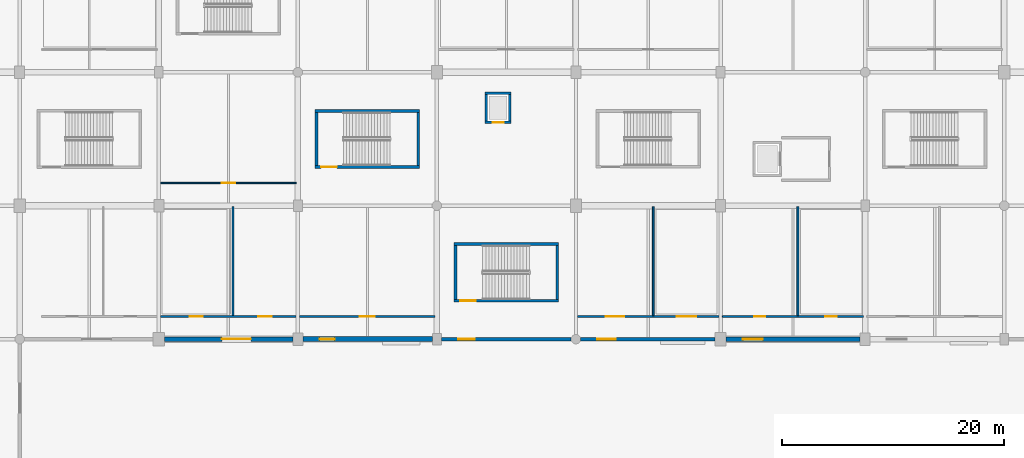
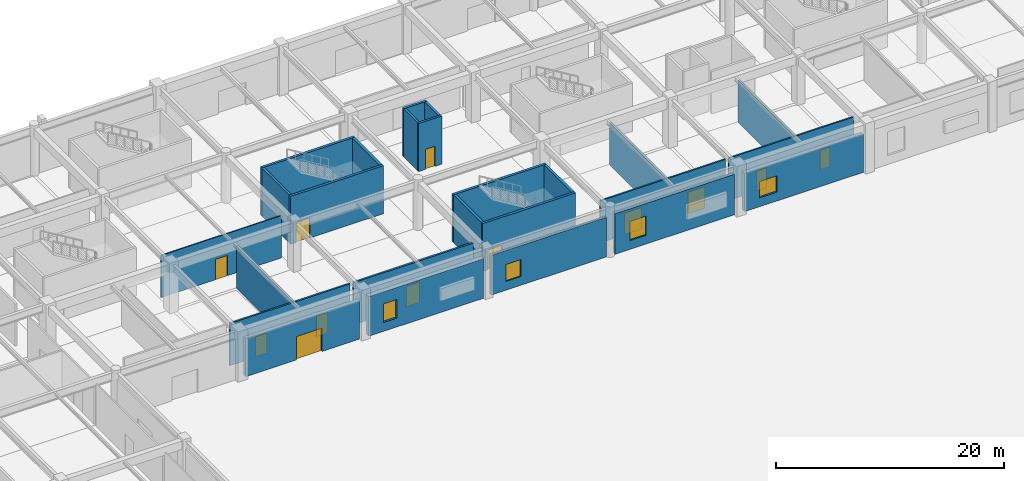
# One storey, part 30 of 69: 25 walls, 12 doors, 4 windows, 16 openings.
"""IFC4 building model written with IfcOpenShell, lengths in metres."""

from ifc_helpers import new_model, si_unit, direction, frame, frame_2d, origin, place, context, subcontext, project, spatial, rectangle, extrude, material, layer, layer_set, type_object, element, fill, save


model = new_model("IFC4")

# Units and contexts
model_context = context("Model", 3, precision=1e-05, world=origin(), true_north=direction((0.0, 1.0)))
body_context = subcontext(model_context, "Body", "Model", "MODEL_VIEW")
ifc_project = project(units=[si_unit("LENGTHUNIT", "METRE"), si_unit("AREAUNIT", "SQUARE_METRE"), si_unit("VOLUMEUNIT", "CUBIC_METRE"), si_unit("PLANEANGLEUNIT", "RADIAN"), si_unit("MASSUNIT", "GRAM", prefix="KILO")], contexts=[model_context])

# Site, building, storey
site_placement = place(None, origin())
site = spatial("IfcSite", under=ifc_project, at=site_placement, CompositionType="ELEMENT")
building_placement = place(site_placement, origin())
building = spatial("IfcBuilding", under=site, at=building_placement, Name="Kazenohara Klinker Stadium", CompositionType="ELEMENT")
storey_placement = place(building_placement, origin())
storey = spatial("IfcBuildingStorey", under=building, at=storey_placement, Name="L00", CompositionType="ELEMENT", Elevation=0.0)

# Wall, opening, door
ifc_material_1 = material(Name="Concrete C40/50", Category="concrete")
ifc_layer_1 = layer(ifc_material_1, 0.22998046875)
ifc_layer_set_1 = layer_set([ifc_layer_1], Name="Concrete C40/50")
wall_type_1 = type_object("IfcWallType", Name="WAL-CORE-230", PredefinedType="SHEAR", material=ifc_layer_set_1)
wall_1_placement = place(storey_placement, frame((90.820068359375, 151.485107421875, 0.0), z_axis=(0.0, 0.0, 1.0), x_axis=(1.0, 0.0, 0.0)))
wall_1 = element("IfcWall", 1, at=wall_1_placement, inside=storey, type_object=wall_type_1, Name="Elevator shaft wall LP04 L00 South", PredefinedType="SHEAR", context=body_context, shape_type="SweptSolid", body=[
    extrude(rectangle(XDim=2.35986328125, YDim=0.22998046875, at=frame_2d((1.179931640625, 0.0))), origin(), (0.0, 0.0, 1.0), 5.139892578125),
])
opening_1_placement = place(wall_1_placement, frame((0.679931640625, 0.0, 0.0)))
opening_1 = element("IfcOpeningElement", 2, at=opening_1_placement, cuts=wall_1, Name="Opening LD02", PredefinedType="OPENING", context=body_context, shape_type="SweptSolid", body=[
    extrude(rectangle(XDim=1.0, YDim=2.14990234375, at=frame_2d((0.5, 1.074951171875))), frame((0.0, 0.125, 0.0), z_axis=(0.0, -1.0, 0.0), x_axis=(1.0, 0.0, 0.0)), (0.0, 0.0, 1.0), 0.25),
])
ifc_material_2 = material(Name="Stainless steel sliding landing door", Category="steel")
door_type_1 = type_object("IfcDoorType", Name="DR-LD02-1000x2150", OperationType="NOTDEFINED", PredefinedType="DOOR", material=ifc_material_2)
door_1_placement = place(opening_1_placement, origin())
door_1 = element("IfcDoor", 3, at=door_1_placement, inside=storey, type_object=door_type_1, Name="Elevator sliding landing door LP04-L00", OperationType="DOUBLE_DOOR_SLIDING", OverallHeight=2.14990234375, OverallWidth=1.0, PredefinedType="DOOR", context=body_context, shape_type="SweptSolid", body=[
    extrude(rectangle(XDim=1.0, YDim=2.14990234375, at=frame_2d((0.5, 1.074951171875))), frame((0.0, 0.02490234375, 0.0), z_axis=(0.0, -1.0, 0.0), x_axis=(1.0, 0.0, 0.0)), (0.0, 0.0, 1.0), 0.050048828125),
])
fill(opening_1, door_1)

# Walls
wall_2_placement = place(storey_placement, frame((90.820068359375, 154.114990234375, 0.0), z_axis=(0.0, 0.0, 1.0), x_axis=(1.0, 0.0, 0.0)))
element("IfcWall", 4, at=wall_2_placement, inside=storey, type_object=wall_type_1, Name="Elevator shaft wall LP04 L00 North", PredefinedType="SHEAR", context=body_context, shape_type="SweptSolid", body=[
    extrude(rectangle(XDim=2.35986328125, YDim=0.22998046875, at=frame_2d((1.179931640625, 0.0))), origin(), (0.0, 0.0, 1.0), 5.139892578125),
])
for number, where, z_axis, x_axis, name in (
    (5, (90.93505859375, 151.60009765625, 0.0), (0.0, 0.0, 1.0), (0.0, 1.0, 0.0), "Elevator shaft wall LP04 L00 West"),
    (6, (93.06494140625, 151.60009765625, 0.0), (0.0, 0.0, 1.0), (0.0, 1.0, 0.0), "Elevator shaft wall LP04 L00 East"),
):
    element("IfcWall", number, at=place(storey_placement, frame(where, z_axis=z_axis, x_axis=x_axis)), inside=storey, type_object=wall_type_1, Name=name, PredefinedType="SHEAR", context=body_context, shape_type="SweptSolid", body=[
        extrude(rectangle(XDim=2.39990234375, YDim=0.22998046875, at=frame_2d((1.199951171875, 0.0))), origin(), (0.0, 0.0, 1.0), 5.139892578125),
    ])

# Wall, opening, door
ifc_layer_2 = layer(ifc_material_1, 0.25)
ifc_layer_set_2 = layer_set([ifc_layer_2], Name="Concrete C40/50")
wall_type_2 = type_object("IfcWallType", Name="WAL-CORE-250", PredefinedType="SHEAR", material=ifc_layer_set_2)
wall_3_placement = place(storey_placement, frame((75.550048828125, 147.485107421875, 0.0), z_axis=(0.0, 0.0, 1.0), x_axis=(1.0, 0.0, 0.0)))
wall_3 = element("IfcWall", 7, at=wall_3_placement, inside=storey, type_object=wall_type_2, Name="Stairwell shear wall ST09 L00 South", PredefinedType="SHEAR", context=body_context, shape_type="SweptSolid", body=[
    extrude(rectangle(XDim=9.39990234375, YDim=0.25, at=frame_2d((4.699951171875, 0.0))), origin(), (0.0, 0.0, 1.0), 5.139892578125),
])
opening_2_placement = place(wall_3_placement, frame((0.550048828125, 0.0, 0.0)))
opening_2 = element("IfcOpeningElement", 8, at=opening_2_placement, cuts=wall_3, Name="Opening SD01", PredefinedType="OPENING", context=body_context, shape_type="SweptSolid", body=[
    extrude(rectangle(XDim=1.39990234375, YDim=2.14990234375, at=frame_2d((0.699951171875, 1.074951171875))), frame((0.0, 0.135009765625, 0.0), z_axis=(0.0, -1.0, 0.0), x_axis=(1.0, 0.0, 0.0)), (0.0, 0.0, 1.0), 0.27001953125),
])
ifc_material_3 = material(Name="Flush painted steel fire door leaf", Category="steel")
door_type_2 = type_object("IfcDoorType", Name="DR-STR-1400x2150", OperationType="NOTDEFINED", PredefinedType="DOOR", material=ifc_material_3)
door_2_placement = place(opening_2_placement, origin())
door_2 = element("IfcDoor", 9, at=door_2_placement, inside=storey, type_object=door_type_2, Name="Escape stairwell fire door ST09-L00", OperationType="SINGLE_SWING_RIGHT", OverallHeight=2.14990234375, OverallWidth=1.39990234375, PredefinedType="DOOR", context=body_context, shape_type="SweptSolid", body=[
    extrude(rectangle(XDim=1.39990234375, YDim=2.14990234375, at=frame_2d((0.699951171875, 1.074951171875))), frame((0.0, 0.02490234375, 0.0), z_axis=(0.0, -1.0, 0.0), x_axis=(1.0, 0.0, 0.0)), (0.0, 0.0, 1.0), 0.050048828125),
])
fill(opening_2, door_2)

# Walls
wall_4_placement = place(storey_placement, frame((75.550048828125, 152.514892578125, 0.0), z_axis=(0.0, 0.0, 1.0), x_axis=(1.0, 0.0, 0.0)))
element("IfcWall", 10, at=wall_4_placement, inside=storey, type_object=wall_type_2, Name="Stairwell shear wall ST09 L00 North", PredefinedType="SHEAR", context=body_context, shape_type="SweptSolid", body=[
    extrude(rectangle(XDim=9.39990234375, YDim=0.25, at=frame_2d((4.699951171875, 0.0))), origin(), (0.0, 0.0, 1.0), 5.139892578125),
])
for number, where, z_axis, x_axis, name in (
    (11, (75.675048828125, 147.610107421875, 0.0), (0.0, 0.0, 1.0), (0.0, 1.0, 0.0), "Stairwell shear wall ST09 L00 West"),
    (12, (84.824951171875, 147.610107421875, 0.0), (0.0, 0.0, 1.0), (0.0, 1.0, 0.0), "Stairwell shear wall ST09 L00 East"),
):
    element("IfcWall", number, at=place(storey_placement, frame(where, z_axis=z_axis, x_axis=x_axis)), inside=storey, type_object=wall_type_2, Name=name, PredefinedType="SHEAR", context=body_context, shape_type="SweptSolid", body=[
        extrude(rectangle(XDim=4.77978515625, YDim=0.25, at=frame_2d((2.389892578125, 0.0))), origin(), (0.0, 0.0, 1.0), 5.139892578125),
    ])

# Wall, opening, door
wall_5_placement = place(storey_placement, frame((88.050048828125, 135.455078125, 0.0), z_axis=(0.0, 0.0, 1.0), x_axis=(1.0, 0.0, 0.0)))
wall_5 = element("IfcWall", 13, at=wall_5_placement, inside=storey, type_object=wall_type_2, Name="Stairwell shear wall ST19 L00 South", PredefinedType="SHEAR", context=body_context, shape_type="SweptSolid", body=[
    extrude(rectangle(XDim=9.39990234375, YDim=0.25, at=frame_2d((4.699951171875, 0.0))), origin(), (0.0, 0.0, 1.0), 5.139892578125),
])
opening_3_placement = place(wall_5_placement, frame((0.550048828125, 0.0, 0.0)))
opening_3 = element("IfcOpeningElement", 14, at=opening_3_placement, cuts=wall_5, Name="Opening SD01", PredefinedType="OPENING", context=body_context, shape_type="SweptSolid", body=[
    extrude(rectangle(XDim=1.39990234375, YDim=2.14990234375, at=frame_2d((0.699951171875, 1.074951171875))), frame((0.0, 0.135009765625, 0.0), z_axis=(0.0, -1.0, 0.0), x_axis=(1.0, 0.0, 0.0)), (0.0, 0.0, 1.0), 0.27001953125),
])
door_3_placement = place(opening_3_placement, origin())
door_3 = element("IfcDoor", 15, at=door_3_placement, inside=storey, type_object=door_type_2, Name="Escape stairwell fire door ST19-L00", OperationType="SINGLE_SWING_LEFT", OverallHeight=2.14990234375, OverallWidth=1.39990234375, PredefinedType="DOOR", context=body_context, shape_type="SweptSolid", body=[
    extrude(rectangle(XDim=1.39990234375, YDim=2.14990234375, at=frame_2d((0.699951171875, 1.074951171875))), frame((0.0, 0.02490234375, 0.0), z_axis=(0.0, -1.0, 0.0), x_axis=(1.0, 0.0, 0.0)), (0.0, 0.0, 1.0), 0.050048828125),
])
fill(opening_3, door_3)

# Walls
wall_6_placement = place(storey_placement, frame((88.050048828125, 140.544921875, 0.0), z_axis=(0.0, 0.0, 1.0), x_axis=(1.0, 0.0, 0.0)))
element("IfcWall", 16, at=wall_6_placement, inside=storey, type_object=wall_type_2, Name="Stairwell shear wall ST19 L00 North", PredefinedType="SHEAR", context=body_context, shape_type="SweptSolid", body=[
    extrude(rectangle(XDim=9.39990234375, YDim=0.25, at=frame_2d((4.699951171875, 0.0))), origin(), (0.0, 0.0, 1.0), 5.139892578125),
])
for number, where, z_axis, x_axis, name in (
    (17, (88.175048828125, 135.580078125, 0.0), (0.0, 0.0, 1.0), (0.0, 1.0, 0.0), "Stairwell shear wall ST19 L00 West"),
    (18, (97.324951171875, 135.580078125, 0.0), (0.0, 0.0, 1.0), (0.0, 1.0, 0.0), "Stairwell shear wall ST19 L00 East"),
):
    element("IfcWall", number, at=place(storey_placement, frame(where, z_axis=z_axis, x_axis=x_axis)), inside=storey, type_object=wall_type_2, Name=name, PredefinedType="SHEAR", context=body_context, shape_type="SweptSolid", body=[
        extrude(rectangle(XDim=4.83984375, YDim=0.25, at=frame_2d((2.419921875, 0.0))), origin(), (0.0, 0.0, 1.0), 5.139892578125),
    ])

# Wall, opening, window
ifc_material_4 = material(Name="Clinker brick masonry", Category="masonry")
ifc_layer_3 = layer(ifc_material_4, 0.280029296875)
ifc_layer_set_3 = layer_set([ifc_layer_3], Name="Clinker brick masonry")
wall_type_3 = type_object("IfcWallType", Name="WAL-EXT-CB280", PredefinedType="SOLIDWALL", material=ifc_layer_set_3)
wall_7_placement = place(storey_placement, frame((86.904052734375, 132.0, 0.0), z_axis=(0.0, 0.0, 1.0), x_axis=(1.0, 0.0, 0.0)))
wall_7 = element("IfcWall", 19, at=wall_7_placement, inside=storey, type_object=wall_type_3, Name="Clinker brick cavity wall EW06 L00 X7-11", PredefinedType="SOLIDWALL", context=body_context, shape_type="SweptSolid", body=[
    extrude(rectangle(XDim=11.6669921875, YDim=0.280029296875, at=frame_2d((5.83349609375, 0.0))), origin(), (0.0, 0.0, 1.0), 4.239990234375),
])
opening_4_placement = place(wall_7_placement, frame((1.5, 0.0, 0.949951171875)))
opening_4 = element("IfcOpeningElement", 20, at=opening_4_placement, cuts=wall_7, Name="Opening W09", PredefinedType="OPENING", context=body_context, shape_type="SweptSolid", body=[
    extrude(rectangle(XDim=1.5, YDim=1.800048828125, at=frame_2d((0.75, 0.89990234375))), frame((0.0, 0.14990234375, 0.0), z_axis=(0.0, -1.0, 0.0), x_axis=(1.0, 0.0, 0.0)), (0.0, 0.0, 1.0), 0.300048828125),
])
ifc_material_5 = material(Name="Dark bronze aluminium frame and triple glazing", Category="aluminium")
window_type_1 = type_object("IfcWindowType", Name="WIN-AS-09", PartitioningType="SINGLE_PANEL", PredefinedType="WINDOW", material=ifc_material_5)
window_1_placement = place(opening_4_placement, origin())
window_1 = element("IfcWindow", 21, at=window_1_placement, inside=storey, type_object=window_type_1, Name="Horizontal-mullion ladder window W09 L00 X7-11", OverallHeight=1.800048828125, OverallWidth=1.5, PartitioningType="SINGLE_PANEL", PredefinedType="WINDOW", context=body_context, shape_type="SweptSolid", body=[
    extrude(rectangle(XDim=1.5, YDim=1.800048828125, at=frame_2d((0.75, 0.89990234375))), frame((0.0, 0.030029296875, 0.0), z_axis=(0.0, -1.0, 0.0), x_axis=(1.0, 0.0, 0.0)), (0.0, 0.0, 1.0), 0.06005859375),
])
fill(opening_4, window_1)

ifc_layer_4 = layer(ifc_material_4, 0.340087890625)
ifc_layer_set_4 = layer_set([ifc_layer_4], Name="Clinker brick masonry")
wall_type_4 = type_object("IfcWallType", Name="WAL-EXT-CB340", PredefinedType="SOLIDWALL", material=ifc_layer_set_4)
wall_8_placement = place(storey_placement, frame((99.428955078125, 132.0, 0.0), z_axis=(0.0, 0.0, 1.0), x_axis=(1.0, 0.0, 0.0)))
wall_8 = element("IfcWall", 22, at=wall_8_placement, inside=storey, type_object=wall_type_4, Name="Clinker brick cavity wall EW04 L00 X8-11", PredefinedType="SOLIDWALL", context=body_context, shape_type="SweptSolid", body=[
    extrude(rectangle(XDim=12.067138671875, YDim=0.340087890625, at=frame_2d((6.03369140625, 0.0))), origin(), (0.0, 0.0, 1.0), 4.340087890625),
])
opening_5_placement = place(wall_8_placement, frame((1.5, 0.0, 0.949951171875)))
opening_5 = element("IfcOpeningElement", 23, at=opening_5_placement, cuts=wall_8, Name="Opening W11", PredefinedType="OPENING", context=body_context, shape_type="SweptSolid", body=[
    extrude(rectangle(XDim=1.64990234375, YDim=2.050048828125, at=frame_2d((0.824951171875, 1.02490234375))), frame((0.0, 0.18017578125, 0.0), z_axis=(0.0, -1.0, 0.0), x_axis=(1.0, 0.0, 0.0)), (0.0, 0.0, 1.0), 0.360107421875),
])
window_type_2 = type_object("IfcWindowType", Name="WIN-AS-11", PartitioningType="SINGLE_PANEL", PredefinedType="WINDOW", material=ifc_material_5)
window_2_placement = place(opening_5_placement, origin())
window_2 = element("IfcWindow", 24, at=window_2_placement, inside=storey, type_object=window_type_2, Name="Horizontal-mullion ladder window W11 L00 X8-11", OverallHeight=2.050048828125, OverallWidth=1.64990234375, PartitioningType="SINGLE_PANEL", PredefinedType="WINDOW", context=body_context, shape_type="SweptSolid", body=[
    extrude(rectangle(XDim=1.64990234375, YDim=2.050048828125, at=frame_2d((0.824951171875, 1.02490234375))), frame((0.0, 0.030029296875, 0.0), z_axis=(0.0, -1.0, 0.0), x_axis=(1.0, 0.0, 0.0)), (0.0, 0.0, 1.0), 0.06005859375),
])
fill(opening_5, window_2)

# Wall, opening, door
ifc_layer_5 = layer(ifc_material_4, 0.3701171875)
ifc_layer_set_5 = layer_set([ifc_layer_5], Name="Clinker brick masonry")
wall_type_5 = type_object("IfcWallType", Name="WAL-EXT-CB370", PredefinedType="SOLIDWALL", material=ifc_layer_set_5)
wall_9_placement = place(storey_placement, frame((62.00390625, 132.0, 0.0), z_axis=(0.0, 0.0, 1.0), x_axis=(1.0, 0.0, 0.0)))
wall_9 = element("IfcWall", 25, at=wall_9_placement, inside=storey, type_object=wall_type_5, Name="Clinker brick cavity wall EW03 L00 X5-11", PredefinedType="SOLIDWALL", context=body_context, shape_type="SweptSolid", body=[
    extrude(rectangle(XDim=11.5419921875, YDim=0.3701171875, at=frame_2d((5.77099609375, 0.0))), origin(), (0.0, 0.0, 1.0), 4.090087890625),
])
opening_6_placement = place(wall_9_placement, frame((7.763671875, 0.0, 0.0), z_axis=(0.0, 0.0, 1.0), x_axis=(-1.0, 0.0, 0.0)))
opening_6 = element("IfcOpeningElement", 26, at=opening_6_placement, cuts=wall_9, Name="Opening VP12", PredefinedType="OPENING", context=body_context, shape_type="SweptSolid", body=[
    extrude(rectangle(XDim=2.60009765625, YDim=2.5, at=frame_2d((1.300048828125, 1.25))), frame((0.0, 0.195068359375, 0.0), z_axis=(0.0, -1.0, 0.0), x_axis=(1.0, 0.0, 0.0)), (0.0, 0.0, 1.0), 0.39013671875),
])
ifc_material_6 = material(Name="Anodised aluminium acoustic portal leaf", Category="aluminium")
door_type_3 = type_object("IfcDoorType", Name="DR-VOM-2600x2500", OperationType="NOTDEFINED", PredefinedType="DOOR", material=ifc_material_6)
door_4_placement = place(opening_6_placement, origin())
door_4 = element("IfcDoor", 27, at=door_4_placement, inside=storey, type_object=door_type_3, Name="Lower bowl vomitory portal door VP12", OperationType="DOUBLE_DOOR_SINGLE_SWING", OverallHeight=2.5, OverallWidth=2.60009765625, PredefinedType="DOOR", context=body_context, shape_type="SweptSolid", body=[
    extrude(rectangle(XDim=2.60009765625, YDim=2.5, at=frame_2d((1.300048828125, 1.25))), frame((0.0, 0.02490234375, 0.0), z_axis=(0.0, -1.0, 0.0), x_axis=(1.0, 0.0, 0.0)), (0.0, 0.0, 1.0), 0.050048828125),
])
fill(opening_6, door_4)

# Wall, opening, window
ifc_layer_6 = layer(ifc_material_4, 0.409912109375)
ifc_layer_set_6 = layer_set([ifc_layer_6], Name="Clinker brick masonry")
wall_type_6 = type_object("IfcWallType", Name="WAL-EXT-CB410", PredefinedType="SOLIDWALL", material=ifc_layer_set_6)
wall_10_placement = place(storey_placement, frame((112.50390625, 132.0, 0.0), z_axis=(0.0, 0.0, 1.0), x_axis=(1.0, 0.0, 0.0)))
wall_10 = element("IfcWall", 28, at=wall_10_placement, inside=storey, type_object=wall_type_6, Name="Clinker brick cavity wall EW02 L00 X9-11", PredefinedType="SOLIDWALL", context=body_context, shape_type="SweptSolid", body=[
    extrude(rectangle(XDim=12.0419921875, YDim=0.409912109375, at=frame_2d((6.02099609375, 0.0))), origin(), (0.0, 0.0, 1.0), 4.090087890625),
])
opening_7_placement = place(wall_10_placement, frame((1.5, 0.0, 0.949951171875)))
opening_7 = element("IfcOpeningElement", 29, at=opening_7_placement, cuts=wall_10, Name="Opening W13", PredefinedType="OPENING", context=body_context, shape_type="SweptSolid", body=[
    extrude(rectangle(XDim=1.800048828125, YDim=1.75, at=frame_2d((0.89990234375, 0.875))), frame((0.0, 0.21484375, 0.0), z_axis=(0.0, -1.0, 0.0), x_axis=(1.0, 0.0, 0.0)), (0.0, 0.0, 1.0), 0.429931640625),
])
window_type_3 = type_object("IfcWindowType", Name="WIN-AS-13", PartitioningType="SINGLE_PANEL", PredefinedType="WINDOW", material=ifc_material_5)
window_3_placement = place(opening_7_placement, origin())
window_3 = element("IfcWindow", 30, at=window_3_placement, inside=storey, type_object=window_type_3, Name="Horizontal-mullion ladder window W13 L00 X9-11", OverallHeight=1.75, OverallWidth=1.800048828125, PartitioningType="SINGLE_PANEL", PredefinedType="WINDOW", context=body_context, shape_type="SweptSolid", body=[
    extrude(rectangle(XDim=1.800048828125, YDim=1.75, at=frame_2d((0.89990234375, 0.875))), frame((0.0, 0.030029296875, 0.0), z_axis=(0.0, -1.0, 0.0), x_axis=(1.0, 0.0, 0.0)), (0.0, 0.0, 1.0), 0.06005859375),
])
fill(opening_7, window_3)

ifc_layer_7 = layer(ifc_material_4, 0.449951171875)
ifc_layer_set_7 = layer_set([ifc_layer_7], Name="Clinker brick masonry")
wall_type_7 = type_object("IfcWallType", Name="WAL-EXT-CB450", PredefinedType="SOLIDWALL", material=ifc_layer_set_7)
wall_11_placement = place(storey_placement, frame((74.4541015625, 132.0, 0.0), z_axis=(0.0, 0.0, 1.0), x_axis=(1.0, 0.0, 0.0)))
wall_11 = element("IfcWall", 31, at=wall_11_placement, inside=storey, type_object=wall_type_7, Name="Clinker brick cavity wall EW01 L00 X6-11", PredefinedType="SOLIDWALL", context=body_context, shape_type="SweptSolid", body=[
    extrude(rectangle(XDim=11.641845703125, YDim=0.449951171875, at=frame_2d((5.82080078125, 0.0))), origin(), (0.0, 0.0, 1.0), 4.239990234375),
])
opening_8_placement = place(wall_11_placement, frame((1.5, 0.0, 0.949951171875)))
opening_8 = element("IfcOpeningElement", 32, at=opening_8_placement, cuts=wall_11, Name="Opening W07", PredefinedType="OPENING", context=body_context, shape_type="SweptSolid", body=[
    extrude(rectangle(XDim=1.35009765625, YDim=2.0, at=frame_2d((0.675048828125, 1.0))), frame((0.0, 0.23486328125, 0.0), z_axis=(0.0, -1.0, 0.0), x_axis=(1.0, 0.0, 0.0)), (0.0, 0.0, 1.0), 0.469970703125),
])
window_type_4 = type_object("IfcWindowType", Name="WIN-AS-07", PartitioningType="SINGLE_PANEL", PredefinedType="WINDOW", material=ifc_material_5)
window_4_placement = place(opening_8_placement, origin())
window_4 = element("IfcWindow", 33, at=window_4_placement, inside=storey, type_object=window_type_4, Name="Horizontal-mullion ladder window W07 L00 X6-11", OverallHeight=2.0, OverallWidth=1.35009765625, PartitioningType="SINGLE_PANEL", PredefinedType="WINDOW", context=body_context, shape_type="SweptSolid", body=[
    extrude(rectangle(XDim=1.35009765625, YDim=2.0, at=frame_2d((0.675048828125, 1.0))), frame((0.0, 0.030029296875, 0.0), z_axis=(0.0, -1.0, 0.0), x_axis=(1.0, 0.0, 0.0)), (0.0, 0.0, 1.0), 0.06005859375),
])
fill(opening_8, window_4)

# Wall, opening, door
ifc_material_7 = material(Name="Fire-rated gypsum board on acoustic studs", Category="gypsum")
ifc_layer_8 = layer(ifc_material_7, 0.110107421875)
ifc_layer_set_8 = layer_set([ifc_layer_8], Name="Fire-rated gypsum board on acoustic studs")
wall_type_8 = type_object("IfcWallType", Name="WAL-INT-P110", PredefinedType="PARTITIONING", material=ifc_layer_set_8)
wall_12_placement = place(storey_placement, frame((61.659912109375, 146.0400390625, 0.0), z_axis=(0.0, 0.0, 1.0), x_axis=(1.0, 0.0, 0.0)))
wall_12 = element("IfcWall", 34, at=wall_12_placement, inside=storey, type_object=wall_type_8, Name="Interior partition wall PT01 SPC-L00-05-12-1-1", PredefinedType="PARTITIONING", context=body_context, shape_type="SweptSolid", body=[
    extrude(rectangle(XDim=12.18017578125, YDim=0.110107421875, at=frame_2d((6.090087890625, 0.0))), origin(), (0.0, 0.0, 1.0), 4.52001953125),
])
opening_9_placement = place(wall_12_placement, frame((5.485107421875, 0.0, 0.0)))
opening_9 = element("IfcOpeningElement", 35, at=opening_9_placement, cuts=wall_12, Name="Opening ID12", PredefinedType="OPENING", context=body_context, shape_type="SweptSolid", body=[
    extrude(rectangle(XDim=1.2099609375, YDim=2.179931640625, at=frame_2d((0.60498046875, 1.08984375))), frame((0.0, 0.06494140625, 0.0), z_axis=(0.0, -1.0, 0.0), x_axis=(1.0, 0.0, 0.0)), (0.0, 0.0, 1.0), 0.130126953125),
])
ifc_material_8 = material(Name="Solid-core Hokkaido oak fire door", Category="wood")
door_type_4 = type_object("IfcDoorType", Name="DR-INT-12", OperationType="NOTDEFINED", PredefinedType="DOOR", material=ifc_material_8)
door_5_placement = place(opening_9_placement, origin())
door_5 = element("IfcDoor", 36, at=door_5_placement, inside=storey, type_object=door_type_4, Name="Interior door ID12 Spectator First-Aid Medical Clinic L00-0512A", OperationType="SINGLE_SWING_LEFT", OverallHeight=2.179931640625, OverallWidth=1.2099609375, PredefinedType="DOOR", context=body_context, shape_type="SweptSolid", body=[
    extrude(rectangle(XDim=1.2099609375, YDim=2.179931640625, at=frame_2d((0.60498046875, 1.08984375))), frame((0.0, 0.02490234375, 0.0), z_axis=(0.0, -1.0, 0.0), x_axis=(1.0, 0.0, 0.0)), (0.0, 0.0, 1.0), 0.050048828125),
])
fill(opening_9, door_5)

# Wall, openings, doors
ifc_layer_9 = layer(ifc_material_7, 0.14990234375)
ifc_layer_set_9 = layer_set([ifc_layer_9], Name="Fire-rated gypsum board on acoustic studs")
wall_type_9 = type_object("IfcWallType", Name="WAL-INT-P150", PredefinedType="PARTITIONING", material=ifc_layer_set_9)
wall_13_placement = place(storey_placement, frame((99.159912109375, 134.0400390625, 0.0), z_axis=(0.0, 0.0, 1.0), x_axis=(1.0, 0.0, 0.0)))
wall_13 = element("IfcWall", 37, at=wall_13_placement, inside=storey, type_object=wall_type_9, Name="Interior partition wall PT04 SPC-L00-08-11-1-1", PredefinedType="PARTITIONING", context=body_context, shape_type="SweptSolid", body=[
    extrude(rectangle(XDim=12.68017578125, YDim=0.14990234375, at=frame_2d((6.340087890625, 0.0))), origin(), (0.0, 0.0, 1.0), 4.52001953125),
])
opening_10_placement = place(wall_13_placement, frame((2.501953125, 0.0, 0.0)))
opening_10 = element("IfcOpeningElement", 38, at=opening_10_placement, cuts=wall_13, Name="Opening ID25", PredefinedType="OPENING", context=body_context, shape_type="SweptSolid", body=[
    extrude(rectangle(XDim=1.699951171875, YDim=2.320068359375, at=frame_2d((0.85009765625, 1.16015625))), frame((0.0, 0.0849609375, 0.0), z_axis=(0.0, -1.0, 0.0), x_axis=(1.0, 0.0, 0.0)), (0.0, 0.0, 1.0), 0.169921875),
])
opening_11_placement = place(wall_13_placement, frame((8.891845703125, 0.0, 0.0)))
opening_11 = element("IfcOpeningElement", 39, at=opening_11_placement, cuts=wall_13, Name="Opening ID26", PredefinedType="OPENING", context=body_context, shape_type="SweptSolid", body=[
    extrude(rectangle(XDim=1.760009765625, YDim=2.300048828125, at=frame_2d((0.8798828125, 1.14990234375))), frame((0.0, 0.0849609375, 0.0), z_axis=(0.0, -1.0, 0.0), x_axis=(1.0, 0.0, 0.0)), (0.0, 0.0, 1.0), 0.169921875),
])
ifc_material_9 = material(Name="Painted steel plant fire door", Category="steel")
door_type_5 = type_object("IfcDoorType", Name="DR-INT-25", OperationType="NOTDEFINED", PredefinedType="DOOR", material=ifc_material_9)
door_6_placement = place(opening_10_placement, origin())
door_6 = element("IfcDoor", 40, at=door_6_placement, inside=storey, type_object=door_type_5, Name="Interior door ID25 Supporter Merchandising Retail Shop L00-0811A", OperationType="SINGLE_SWING_RIGHT", OverallHeight=2.320068359375, OverallWidth=1.699951171875, PredefinedType="DOOR", context=body_context, shape_type="SweptSolid", body=[
    extrude(rectangle(XDim=1.699951171875, YDim=2.320068359375, at=frame_2d((0.85009765625, 1.16015625))), frame((0.0, 0.02490234375, 0.0), z_axis=(0.0, -1.0, 0.0), x_axis=(1.0, 0.0, 0.0)), (0.0, 0.0, 1.0), 0.050048828125),
])
fill(opening_10, door_6)
door_type_6 = type_object("IfcDoorType", Name="DR-INT-26", OperationType="NOTDEFINED", PredefinedType="DOOR", material=ifc_material_9)
door_7_placement = place(opening_11_placement, origin())
door_7 = element("IfcDoor", 41, at=door_7_placement, inside=storey, type_object=door_type_6, Name="Interior door ID26 Concourse Craft Beverage Tavern L00-0811B", OperationType="SINGLE_SWING_LEFT", OverallHeight=2.300048828125, OverallWidth=1.760009765625, PredefinedType="DOOR", context=body_context, shape_type="SweptSolid", body=[
    extrude(rectangle(XDim=1.760009765625, YDim=2.300048828125, at=frame_2d((0.8798828125, 1.14990234375))), frame((0.0, 0.02490234375, 0.0), z_axis=(0.0, -1.0, 0.0), x_axis=(1.0, 0.0, 0.0)), (0.0, 0.0, 1.0), 0.050048828125),
])
fill(opening_11, door_7)

wall_14_placement = place(storey_placement, frame((112.159912109375, 134.0400390625, 0.0), z_axis=(0.0, 0.0, 1.0), x_axis=(1.0, 0.0, 0.0)))
wall_14 = element("IfcWall", 42, at=wall_14_placement, inside=storey, type_object=wall_type_9, Name="Interior partition wall PT04 SPC-L00-09-11-1-1", PredefinedType="PARTITIONING", context=body_context, shape_type="SweptSolid", body=[
    extrude(rectangle(XDim=12.68017578125, YDim=0.14990234375, at=frame_2d((6.340087890625, 0.0))), origin(), (0.0, 0.0, 1.0), 4.52001953125),
])
opening_12_placement = place(wall_14_placement, frame((2.851806640625, 0.0, 0.0)))
opening_12 = element("IfcOpeningElement", 43, at=opening_12_placement, cuts=wall_14, Name="Opening ID05", PredefinedType="OPENING", context=body_context, shape_type="SweptSolid", body=[
    extrude(rectangle(XDim=1.0, YDim=2.139892578125, at=frame_2d((0.5, 1.06982421875))), frame((0.0, 0.0849609375, 0.0), z_axis=(0.0, -1.0, 0.0), x_axis=(1.0, 0.0, 0.0)), (0.0, 0.0, 1.0), 0.169921875),
])
opening_13_placement = place(wall_14_placement, frame((9.2568359375, 0.0, 0.0)))
opening_13 = element("IfcOpeningElement", 44, at=opening_13_placement, cuts=wall_14, Name="Opening ID06", PredefinedType="OPENING", context=body_context, shape_type="SweptSolid", body=[
    extrude(rectangle(XDim=1.030029296875, YDim=2.1201171875, at=frame_2d((0.51513671875, 1.06005859375))), frame((0.0, 0.0849609375, 0.0), z_axis=(0.0, -1.0, 0.0), x_axis=(1.0, 0.0, 0.0)), (0.0, 0.0, 1.0), 0.169921875),
])
door_type_7 = type_object("IfcDoorType", Name="DR-INT-05", OperationType="NOTDEFINED", PredefinedType="DOOR", material=ifc_material_8)
door_8_placement = place(opening_12_placement, origin())
door_8 = element("IfcDoor", 45, at=door_8_placement, inside=storey, type_object=door_type_7, Name="Interior door ID05 Spectator First-Aid Medical Clinic L00-0911A", OperationType="SINGLE_SWING_RIGHT", OverallHeight=2.139892578125, OverallWidth=1.0, PredefinedType="DOOR", context=body_context, shape_type="SweptSolid", body=[
    extrude(rectangle(XDim=1.0, YDim=2.139892578125, at=frame_2d((0.5, 1.06982421875))), frame((0.0, 0.02490234375, 0.0), z_axis=(0.0, -1.0, 0.0), x_axis=(1.0, 0.0, 0.0)), (0.0, 0.0, 1.0), 0.050048828125),
])
fill(opening_12, door_8)
door_type_8 = type_object("IfcDoorType", Name="DR-INT-06", OperationType="NOTDEFINED", PredefinedType="DOOR", material=ifc_material_8)
door_9_placement = place(opening_13_placement, origin())
door_9 = element("IfcDoor", 46, at=door_9_placement, inside=storey, type_object=door_type_8, Name="Interior door ID06 Winter-Garden Retail Galleria Boutique L00-0911B", OperationType="SINGLE_SWING_LEFT", OverallHeight=2.1201171875, OverallWidth=1.030029296875, PredefinedType="DOOR", context=body_context, shape_type="SweptSolid", body=[
    extrude(rectangle(XDim=1.030029296875, YDim=2.1201171875, at=frame_2d((0.51513671875, 1.06005859375))), frame((0.0, 0.02490234375, 0.0), z_axis=(0.0, -1.0, 0.0), x_axis=(1.0, 0.0, 0.0)), (0.0, 0.0, 1.0), 0.050048828125),
])
fill(opening_13, door_9)

ifc_layer_10 = layer(ifc_material_7, 0.169921875)
ifc_layer_set_10 = layer_set([ifc_layer_10], Name="Fire-rated gypsum board on acoustic studs")
wall_type_10 = type_object("IfcWallType", Name="WAL-INT-P170", PredefinedType="PARTITIONING", material=ifc_layer_set_10)
wall_15_placement = place(storey_placement, frame((61.659912109375, 134.0400390625, 0.0), z_axis=(0.0, 0.0, 1.0), x_axis=(1.0, 0.0, 0.0)))
wall_15 = element("IfcWall", 47, at=wall_15_placement, inside=storey, type_object=wall_type_10, Name="Interior partition wall PT05 SPC-L00-05-11-1-1", PredefinedType="PARTITIONING", context=body_context, shape_type="SweptSolid", body=[
    extrude(rectangle(XDim=12.18017578125, YDim=0.169921875, at=frame_2d((6.090087890625, 0.0))), origin(), (0.0, 0.0, 1.0), 4.52001953125),
])
opening_14_placement = place(wall_15_placement, frame((2.643310546875, 0.0, 0.0)))
opening_14 = element("IfcOpeningElement", 48, at=opening_14_placement, cuts=wall_15, Name="Opening ID10", PredefinedType="OPENING", context=body_context, shape_type="SweptSolid", body=[
    extrude(rectangle(XDim=1.14990234375, YDim=2.14990234375, at=frame_2d((0.574951171875, 1.074951171875))), frame((0.0, 0.094970703125, 0.0), z_axis=(0.0, -1.0, 0.0), x_axis=(1.0, 0.0, 0.0)), (0.0, 0.0, 1.0), 0.18994140625),
])
opening_15_placement = place(wall_15_placement, frame((8.798095703125, 0.0, 0.0)))
opening_15 = element("IfcOpeningElement", 49, at=opening_15_placement, cuts=wall_15, Name="Opening ID11", PredefinedType="OPENING", context=body_context, shape_type="SweptSolid", body=[
    extrude(rectangle(XDim=1.179931640625, YDim=2.199951171875, at=frame_2d((0.58984375, 1.10009765625))), frame((0.0, 0.094970703125, 0.0), z_axis=(0.0, -1.0, 0.0), x_axis=(1.0, 0.0, 0.0)), (0.0, 0.0, 1.0), 0.18994140625),
])
door_type_9 = type_object("IfcDoorType", Name="DR-INT-10", OperationType="NOTDEFINED", PredefinedType="DOOR", material=ifc_material_8)
door_10_placement = place(opening_14_placement, origin())
door_10 = element("IfcDoor", 50, at=door_10_placement, inside=storey, type_object=door_type_9, Name="Interior door ID10 Supporter Merchandising Retail Shop L00-0511A", OperationType="SINGLE_SWING_LEFT", OverallHeight=2.14990234375, OverallWidth=1.14990234375, PredefinedType="DOOR", context=body_context, shape_type="SweptSolid", body=[
    extrude(rectangle(XDim=1.14990234375, YDim=2.14990234375, at=frame_2d((0.574951171875, 1.074951171875))), frame((0.0, 0.02490234375, 0.0), z_axis=(0.0, -1.0, 0.0), x_axis=(1.0, 0.0, 0.0)), (0.0, 0.0, 1.0), 0.050048828125),
])
fill(opening_14, door_10)
door_type_10 = type_object("IfcDoorType", Name="DR-INT-11", OperationType="NOTDEFINED", PredefinedType="DOOR", material=ifc_material_8)
door_11_placement = place(opening_15_placement, origin())
door_11 = element("IfcDoor", 51, at=door_11_placement, inside=storey, type_object=door_type_10, Name="Interior door ID11 Concourse Craft Beverage Tavern L00-0511B", OperationType="SINGLE_SWING_RIGHT", OverallHeight=2.199951171875, OverallWidth=1.179931640625, PredefinedType="DOOR", context=body_context, shape_type="SweptSolid", body=[
    extrude(rectangle(XDim=1.179931640625, YDim=2.199951171875, at=frame_2d((0.58984375, 1.10009765625))), frame((0.0, 0.02490234375, 0.0), z_axis=(0.0, -1.0, 0.0), x_axis=(1.0, 0.0, 0.0)), (0.0, 0.0, 1.0), 0.050048828125),
])
fill(opening_15, door_11)

# Walls
for number, where, z_axis, x_axis, name in (
    (52, (105.94384765625, 134.1201171875, 0.0), (0.0, 0.0, 1.0), (0.0, 1.0, 0.0), "Interior partition wall PT05 SPC-L00-08-11-1-2"),
    (53, (118.94384765625, 134.1201171875, 0.0), (0.0, 0.0, 1.0), (0.0, 1.0, 0.0), "Interior partition wall PT05 SPC-L00-09-11-1-2"),
):
    element("IfcWall", number, at=place(storey_placement, frame(where, z_axis=z_axis, x_axis=x_axis)), inside=storey, type_object=wall_type_10, Name=name, PredefinedType="PARTITIONING", context=body_context, shape_type="SweptSolid", body=[
        extrude(rectangle(XDim=9.7998046875, YDim=0.169921875, at=frame_2d((4.89990234375, 0.0))), origin(), (0.0, 0.0, 1.0), 4.52001953125),
    ])
ifc_layer_11 = layer(ifc_material_7, 0.18994140625)
ifc_layer_set_11 = layer_set([ifc_layer_11], Name="Fire-rated gypsum board on acoustic studs")
wall_type_11 = type_object("IfcWallType", Name="WAL-INT-P190", PredefinedType="PARTITIONING", material=ifc_layer_set_11)
wall_16_placement = place(storey_placement, frame((68.17626953125, 134.1298828125, 0.0), z_axis=(0.0, 0.0, 1.0), x_axis=(0.0, 1.0, 0.0)))
element("IfcWall", 54, at=wall_16_placement, inside=storey, type_object=wall_type_11, Name="Interior partition wall PT06 SPC-L00-05-11-1-2", PredefinedType="PARTITIONING", context=body_context, shape_type="SweptSolid", body=[
    extrude(rectangle(XDim=9.7900390625, YDim=0.18994140625, at=frame_2d((4.89501953125, 0.0))), origin(), (0.0, 0.0, 1.0), 4.52001953125),
])

# Wall, opening, door
wall_17_placement = place(storey_placement, frame((74.159912109375, 134.0400390625, 0.0), z_axis=(0.0, 0.0, 1.0), x_axis=(1.0, 0.0, 0.0)))
wall_17 = element("IfcWall", 55, at=wall_17_placement, inside=storey, type_object=wall_type_11, Name="Interior partition wall PT06 SPC-L00-06-11-1-1", PredefinedType="PARTITIONING", context=body_context, shape_type="SweptSolid", body=[
    extrude(rectangle(XDim=12.18017578125, YDim=0.18994140625, at=frame_2d((6.090087890625, 0.0))), origin(), (0.0, 0.0, 1.0), 4.52001953125),
])
opening_16_placement = place(wall_17_placement, frame((5.425048828125, 0.0, 0.0)))
opening_16 = element("IfcOpeningElement", 56, at=opening_16_placement, cuts=wall_17, Name="Opening ID16", PredefinedType="OPENING", context=body_context, shape_type="SweptSolid", body=[
    extrude(rectangle(XDim=1.330078125, YDim=2.219970703125, at=frame_2d((0.6650390625, 1.10986328125))), frame((0.0, 0.10498046875, 0.0), z_axis=(0.0, -1.0, 0.0), x_axis=(1.0, 0.0, 0.0)), (0.0, 0.0, 1.0), 0.2099609375),
])
door_type_11 = type_object("IfcDoorType", Name="DR-INT-16", OperationType="NOTDEFINED", PredefinedType="DOOR", material=ifc_material_8)
door_12_placement = place(opening_16_placement, origin())
door_12 = element("IfcDoor", 57, at=door_12_placement, inside=storey, type_object=door_type_11, Name="Interior door ID16 Civic Stadium Heritage Museum Exhibition Gallery L00-0611A", OperationType="SINGLE_SWING_LEFT", OverallHeight=2.219970703125, OverallWidth=1.330078125, PredefinedType="DOOR", context=body_context, shape_type="SweptSolid", body=[
    extrude(rectangle(XDim=1.330078125, YDim=2.219970703125, at=frame_2d((0.6650390625, 1.10986328125))), frame((0.0, 0.02490234375, 0.0), z_axis=(0.0, -1.0, 0.0), x_axis=(1.0, 0.0, 0.0)), (0.0, 0.0, 1.0), 0.050048828125),
])
fill(opening_16, door_12)

save(model, "model.ifc")
